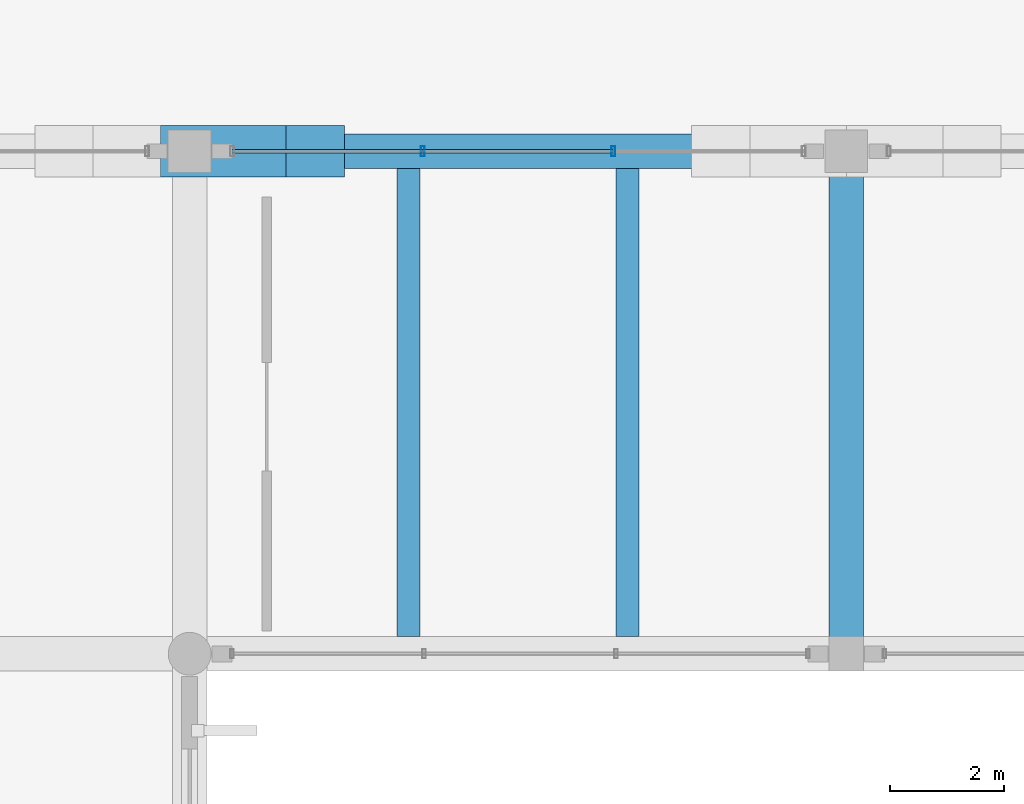
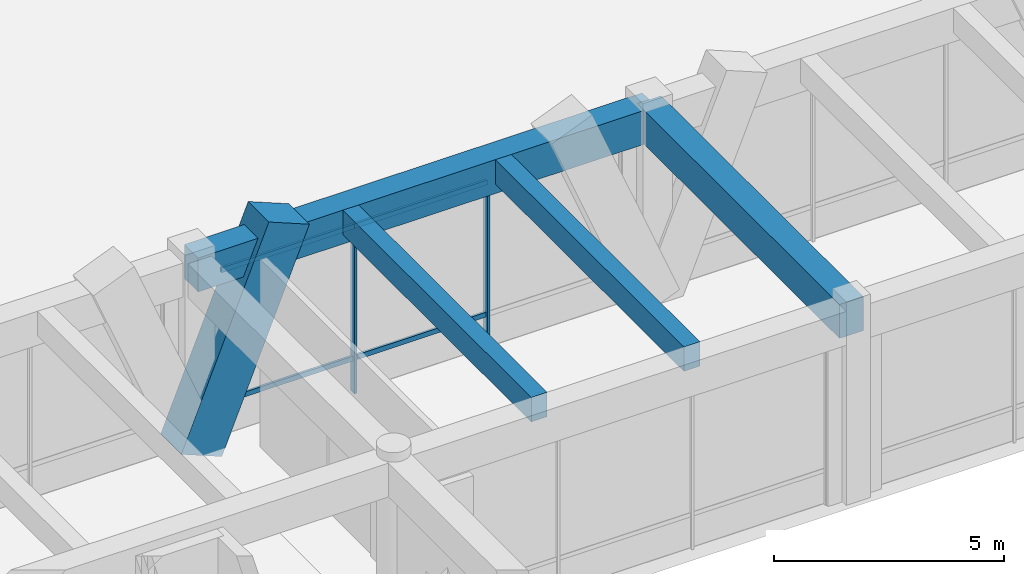
# One storey, part 86 of 148: 7 members, 4 beams, 1 element without a shape of its own.
"""IFC4 building model written with IfcOpenShell, lengths in metres."""

from ifc_helpers import new_model, si_unit, direction, frame, origin, origin_2d, place, context, subcontext, project, spatial, rectangle, hollow_rectangle, extrude, material, material_profile, profile_set, type_object, element, aggregate, save


model = new_model("IFC4")

# Units and contexts
model_context = context("Model", 3, precision=1e-05, world=origin(), true_north=direction((0.0, 1.0)))
body_context = subcontext(model_context, "Body", "Model", "MODEL_VIEW")
ifc_project = project(units=[si_unit("LENGTHUNIT", "METRE"), si_unit("AREAUNIT", "SQUARE_METRE"), si_unit("VOLUMEUNIT", "CUBIC_METRE"), si_unit("PLANEANGLEUNIT", "RADIAN"), si_unit("MASSUNIT", "GRAM", prefix="KILO")], contexts=[model_context])

# Site, building, storey
site_placement = place(None, origin())
site = spatial("IfcSite", under=ifc_project, at=site_placement, CompositionType="ELEMENT")
building_placement = place(site_placement, origin())
building = spatial("IfcBuilding", under=site, at=building_placement, Name="Ologun Quay Terminus", CompositionType="ELEMENT")
storey_placement = place(building_placement, frame((0.0, 0.0, 8.39990234375)))
storey = spatial("IfcBuildingStorey", under=building, at=storey_placement, Name="L02", CompositionType="ELEMENT", Elevation=8.39990234375)

# Curtain wall, members
ifc_material_1 = material(Name="Aluminium 6063-T6", Category="aluminium")
curtain_wall_type = type_object("IfcCurtainWallType", Name="Train Shed South Clerestory Curtain Wall 10700x5050", PredefinedType="USERDEFINED", material=ifc_material_1)
curtain_wall_placement = place(storey_placement, origin())
curtain_wall = element("IfcCurtainWall", 1, at=curtain_wall_placement, inside=storey, type_object=curtain_wall_type, Name="CW-08 Curtain Wall CW-L02-066", ObjectType="UNITISED CURTAIN WALL", PredefinedType="USERDEFINED")
ifc_material_2 = material(Name="Aluminium 6063-T6", Category="aluminium")
ifc_material_profile_1 = material_profile(ifc_material_2, hollow_rectangle(XDim=0.070068359375, YDim=0.179931640625, WallThickness=0.0048828125, at=origin_2d()), Name="ALU 180x70x5")
ifc_profile_set_1 = profile_set([ifc_material_profile_1], Name="Aluminium 6063-T6")
member_type_1 = type_object("IfcMemberType", Name="Concourse Clerestory Mullion 180x70", PredefinedType="MULLION", material=ifc_profile_set_1)
member_1_placement = place(storey_placement, frame((130.581787109375, 36.0, 0.0), z_axis=(0.0, 0.0, 1.0), x_axis=(1.0, 0.0, 0.0)))
member_1 = element("IfcMember", 2, at=member_1_placement, type_object=member_type_1, Name="CW-L02-066 Mullion 2", PredefinedType="MULLION", context=body_context, shape_type="SweptSolid", body=[
    extrude(hollow_rectangle(XDim=0.070068359375, YDim=0.179931640625, WallThickness=0.0048828125, at=origin_2d()), origin(), (0.0, 0.0, 1.0), 5.10009765625),
])
member_2_placement = place(storey_placement, frame((133.918212890625, 36.0, 0.0), z_axis=(0.0, 0.0, 1.0), x_axis=(1.0, 0.0, 0.0)))
member_2 = element("IfcMember", 3, at=member_2_placement, type_object=member_type_1, Name="CW-L02-066 Mullion 3", PredefinedType="MULLION", context=body_context, shape_type="SweptSolid", body=[
    extrude(hollow_rectangle(XDim=0.070068359375, YDim=0.179931640625, WallThickness=0.0048828125, at=origin_2d()), origin(), (0.0, 0.0, 1.0), 5.10009765625),
])
ifc_material_3 = material(Name="Aluminium 6063-T6", Category="aluminium")
ifc_material_profile_2 = material_profile(ifc_material_3, hollow_rectangle(XDim=0.06005859375, YDim=0.1298828125, WallThickness=0.00390625, at=origin_2d()), Name="ALU 130x60x4")
ifc_profile_set_2 = profile_set([ifc_material_profile_2], Name="Aluminium 6063-T6")
member_type_2 = type_object("IfcMemberType", Name="Concourse Clerestory Transom 130x60", PredefinedType="USERDEFINED", material=ifc_profile_set_2)
member_3_placement = place(storey_placement, frame((127.2451171875, 36.0, 0.900146484375), z_axis=(1.0, 0.0, 0.0), x_axis=(0.0, 1.0, 0.0)))
member_3 = element("IfcMember", 4, at=member_3_placement, type_object=member_type_2, Name="CW-L02-066 Transom B1-1", ObjectType="TRANSOM", PredefinedType="USERDEFINED", context=body_context, shape_type="SweptSolid", body=[
    extrude(hollow_rectangle(XDim=0.06005859375, YDim=0.1298828125, WallThickness=0.00390625, at=origin_2d()), origin(), (0.0, 0.0, 1.0), 3.336669921875),
])
member_4_placement = place(storey_placement, frame((127.2451171875, 36.0, 4.400146484375), z_axis=(1.0, 0.0, 0.0), x_axis=(0.0, 1.0, 0.0)))
member_4 = element("IfcMember", 5, at=member_4_placement, type_object=member_type_2, Name="CW-L02-066 Transom B1-2", ObjectType="TRANSOM", PredefinedType="USERDEFINED", context=body_context, shape_type="SweptSolid", body=[
    extrude(hollow_rectangle(XDim=0.06005859375, YDim=0.1298828125, WallThickness=0.00390625, at=origin_2d()), origin(), (0.0, 0.0, 1.0), 3.336669921875),
])
member_5_placement = place(storey_placement, frame((130.581787109375, 36.0, 0.900146484375), z_axis=(1.0, 0.0, 0.0), x_axis=(0.0, 1.0, 0.0)))
member_5 = element("IfcMember", 6, at=member_5_placement, type_object=member_type_2, Name="CW-L02-066 Transom B2-1", ObjectType="TRANSOM", PredefinedType="USERDEFINED", context=body_context, shape_type="SweptSolid", body=[
    extrude(hollow_rectangle(XDim=0.06005859375, YDim=0.1298828125, WallThickness=0.00390625, at=origin_2d()), origin(), (0.0, 0.0, 1.0), 3.33642578125),
])
member_6_placement = place(storey_placement, frame((130.581787109375, 36.0, 4.400146484375), z_axis=(1.0, 0.0, 0.0), x_axis=(0.0, 1.0, 0.0)))
member_6 = element("IfcMember", 7, at=member_6_placement, type_object=member_type_2, Name="CW-L02-066 Transom B2-2", ObjectType="TRANSOM", PredefinedType="USERDEFINED", context=body_context, shape_type="SweptSolid", body=[
    extrude(hollow_rectangle(XDim=0.06005859375, YDim=0.1298828125, WallThickness=0.00390625, at=origin_2d()), origin(), (0.0, 0.0, 1.0), 3.33642578125),
])
aggregate(curtain_wall, [member_1, member_2, member_3, member_4, member_5, member_6])

# Member
ifc_material_4 = material(Name="Concrete C45/55", Category="concrete")
ifc_material_profile_3 = material_profile(ifc_material_4, rectangle(XDim=0.89990234375, YDim=1.10009765625, at=origin_2d()), Name="RC 900x1100")
ifc_profile_set_3 = profile_set([ifc_material_profile_3], Name="Concrete C45/55")
member_type_3 = type_object("IfcMemberType", Name="Sculpted Concrete Arch V-Buttress Strut 900x1100", PredefinedType="STRUT", material=ifc_profile_set_3)
member_7_placement = place(storey_placement, frame((126.5, 36.0, 0.0), z_axis=(0.377280927807, 0.0, 0.926098861631), x_axis=(0.0, 1.0, 0.0)))
element("IfcMember", 8, at=member_7_placement, inside=storey, type_object=member_type_3, Name="VS1 Arch V-Buttress East Limb 12/E", PredefinedType="STRUT", context=body_context, shape_type="SweptSolid", body=[
    extrude(rectangle(XDim=0.89990234375, YDim=1.10009765625, at=origin_2d()), origin(), (0.0, 0.0, 1.0), 5.8310546875),
])

# Beams
ifc_material_5 = material(Name="Concrete C40/50", Category="concrete")
ifc_material_profile_4 = material_profile(ifc_material_5, rectangle(XDim=0.60009765625, YDim=0.89990234375, at=origin_2d()), Name="RC 600x900")
ifc_profile_set_4 = profile_set([ifc_material_profile_4], Name="Concrete C40/50")
beam_type_1 = type_object("IfcBeamType", Name="Station Frame Girder 600x900", PredefinedType="BEAM", material=ifc_profile_set_4)
beam_1_placement = place(storey_placement, frame((126.5, 36.0, 4.7001953125), z_axis=(1.0, 0.0, 0.0), x_axis=(0.0, 1.0, 0.0)))
element("IfcBeam", 9, at=beam_1_placement, inside=storey, type_object=beam_type_1, Name="B3 Beam 12/E L02", PredefinedType="BEAM", context=body_context, shape_type="SweptSolid", body=[
    extrude(rectangle(XDim=0.60009765625, YDim=0.89990234375, at=origin_2d()), origin(), (0.0, 0.0, 1.0), 11.5),
])
beam_2_placement = place(storey_placement, frame((138.0, 27.199951171875, 4.7001953125), z_axis=(0.0, 1.0, 0.0), x_axis=(-1.0, 0.0, 0.0)))
element("IfcBeam", 10, at=beam_2_placement, inside=storey, type_object=beam_type_1, Name="B3 Beam 13/D L02", PredefinedType="BEAM", context=body_context, shape_type="SweptSolid", body=[
    extrude(rectangle(XDim=0.60009765625, YDim=0.89990234375, at=origin_2d()), origin(), (0.0, 0.0, 1.0), 8.800048828125),
])
ifc_material_6 = material(Name="Concrete C40/50", Category="concrete")
ifc_material_profile_5 = material_profile(ifc_material_6, rectangle(XDim=0.39990234375, YDim=0.64990234375, at=origin_2d()), Name="RC 400x650")
ifc_profile_set_5 = profile_set([ifc_material_profile_5], Name="Concrete C40/50")
beam_type_2 = type_object("IfcBeamType", Name="Station Secondary Joist 400x650", PredefinedType="JOIST", material=ifc_profile_set_5)
for number, where, z_axis, x_axis, name in (
    (11, (130.333251953125, 27.5, 4.8251953125), (0.0, 1.0, 0.0), (-1.0, 0.0, 0.0), "J1 Beam 12/D L02"),
    (12, (134.166748046875, 27.5, 4.8251953125), (0.0, 1.0, 0.0), (-1.0, 0.0, 0.0), "J1 Beam 12/D L02"),
):
    element("IfcBeam", number, at=place(storey_placement, frame(where, z_axis=z_axis, x_axis=x_axis)), inside=storey, type_object=beam_type_2, Name=name, PredefinedType="JOIST", context=body_context, shape_type="SweptSolid", body=[
        extrude(rectangle(XDim=0.39990234375, YDim=0.64990234375, at=origin_2d()), origin(), (0.0, 0.0, 1.0), 8.199951171875),
    ])

save(model, "model.ifc")
